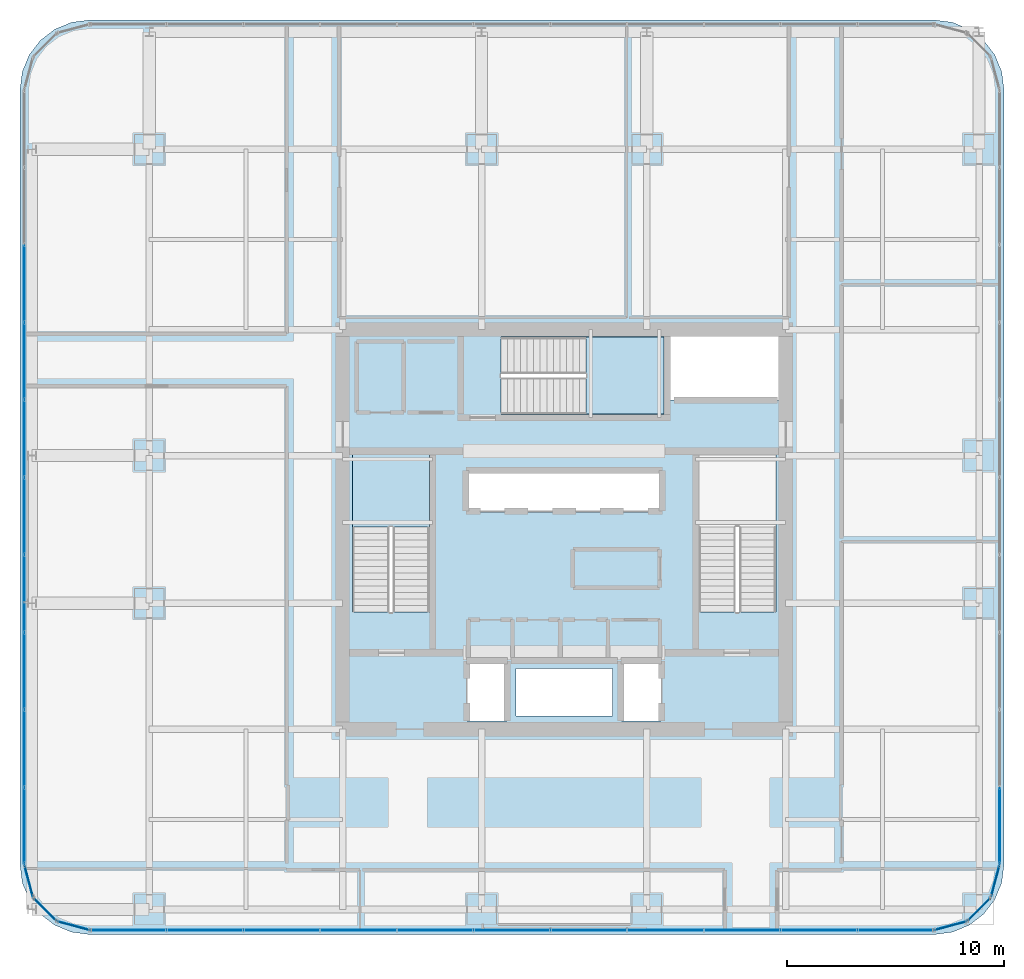
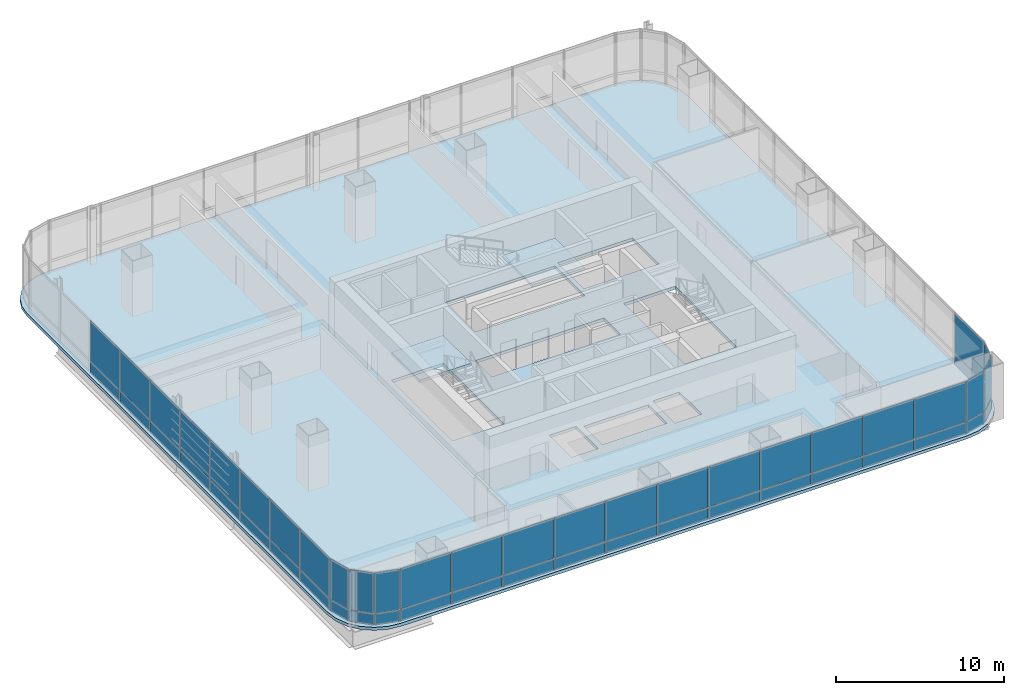
# One storey, part 28 of 38: 52 plates, 3 slabs, 11 elements without a shape of their own.
"""IFC4 building model written with IfcOpenShell, lengths in metres."""

import ifcopenshell
import ifcopenshell.guid

model = None  # the IFC model being written
_history = None  # IfcOwnerHistory: only IFC2X3 demands one
_inside = {}  # id of a spatial element -> (the spatial element, [elements in it])
_under = {}  # id of a project, library or spatial element -> (it, [spatial elements below it])
_declared = {}  # id of a project -> (the project, [libraries it declares])
_typed = {}  # id of a type object -> (the type object, [elements of that type])
_made_of = {}  # id of a material, layer set ... -> (it, [elements and type objects made of it])


def new_model(schema):
    """Start an empty IFC model of exactly this schema.

    Asked for "IFC4X3", IfcOpenShell would pick the latest addendum, in which some entities
    have other attributes; the version numbers below select the first issue.
    IFC2X3 requires an IfcOwnerHistory on every rooted entity: one is made here for all.
    """
    global model, _history
    if schema == "IFC4X3":
        model = ifcopenshell.file(schema_version=(4, 3, 0, 0))
    else:
        model = ifcopenshell.file(schema=schema)
    _inside.clear()
    _under.clear()
    _declared.clear()
    _typed.clear()
    _made_of.clear()
    _history = None
    if model.schema == "IFC2X3":
        org = make("IfcOrganization", Name="unknown")
        user = make(
            "IfcPersonAndOrganization",
            ThePerson=make("IfcPerson", FamilyName="unknown"),
            TheOrganization=org,
        )
        app = make(
            "IfcApplication",
            ApplicationDeveloper=org,
            Version="unknown",
            ApplicationFullName="unknown",
            ApplicationIdentifier="unknown",
        )
        _history = make(
            "IfcOwnerHistory",
            OwningUser=user,
            OwningApplication=app,
            ChangeAction="ADDED",
            CreationDate=0,
        )
    return model


def make(cls, **values):
    """One entity of the class cls with the attributes given. An attribute that is None is left unset."""
    return model.create_entity(
        cls, **{name: value for name, value in values.items() if value is not None}
    )


def rooted(cls, **values):
    """An entity with a GlobalId (a new one), such as an element, a storey or a relation."""
    return make(cls, GlobalId=ifcopenshell.guid.new(), OwnerHistory=_history, **values)


def si_unit(unit_type, name, prefix=None):
    """IfcSIUnit, for example si_unit("LENGTHUNIT", "METRE", prefix="MILLI")."""
    return make("IfcSIUnit", UnitType=unit_type, Prefix=prefix, Name=name)


def assignment(units):
    """IfcUnitAssignment: the units of a project."""
    return None if units is None else make("IfcUnitAssignment", Units=units)


def point(xyz):
    """IfcCartesianPoint."""
    return None if xyz is None else make("IfcCartesianPoint", Coordinates=xyz)


def direction(xyz):
    """IfcDirection."""
    return None if xyz is None else make("IfcDirection", DirectionRatios=xyz)


def frame(location, z_axis=None, x_axis=None):
    """IfcAxis2Placement3D, a coordinate frame: its origin and axes. An axis left out is left unset."""
    return make(
        "IfcAxis2Placement3D",
        Location=point(location),
        Axis=direction(z_axis),
        RefDirection=direction(x_axis),
    )


def frame_2d(location, x_axis=None):
    """IfcAxis2Placement2D, a coordinate frame in the plane: its origin and x axis."""
    return make(
        "IfcAxis2Placement2D", Location=point(location), RefDirection=direction(x_axis)
    )


def origin():
    """The frame at (0, 0, 0) with its axes left unset."""
    return frame((0.0, 0.0, 0.0))


def origin_2d():
    """The frame at (0, 0) in the plane with its x axis left unset."""
    return frame_2d((0.0, 0.0))


def place(relative_to, where):
    """IfcLocalPlacement: puts the frame where relative to a parent placement (None: the world)."""
    return make(
        "IfcLocalPlacement", PlacementRelTo=relative_to, RelativePlacement=where
    )


def context(
    kind, dimensions, precision=None, world=None, true_north=None, identifier=None
):
    """IfcGeometricRepresentationContext, for example the 3D "Model" context."""
    return make(
        "IfcGeometricRepresentationContext",
        ContextIdentifier=identifier,
        ContextType=kind,
        CoordinateSpaceDimension=dimensions,
        Precision=precision,
        WorldCoordinateSystem=world,
        TrueNorth=true_north,
    )


def subcontext(parent, identifier, kind, view, scale=None):
    """IfcGeometricRepresentationSubContext, for example "Body" below "Model"."""
    return make(
        "IfcGeometricRepresentationSubContext",
        ContextIdentifier=identifier,
        ContextType=kind,
        ParentContext=parent,
        TargetScale=scale,
        TargetView=view,
    )


def project(units=None, contexts=None):
    """IfcProject with its units and contexts."""
    return rooted(
        "IfcProject",
        Name="project",
        RepresentationContexts=contexts,
        UnitsInContext=assignment(units),
    )


def spatial(cls, under=None, at=None, **own):
    """A site, building, storey or space (cls), placed at a placement, below another one or the project."""
    s = rooted(cls, ObjectPlacement=at, **own)
    if under is not None:
        _under.setdefault(under.id(), (under, []))[1].append(s)
    return s


def polyline(points):
    """IfcPolyline through the points."""
    return make("IfcPolyline", Points=[point(p) for p in points])


def profile(cls, at=None, kind="AREA", **sizes):
    """A parametric profile (cls). Its sizes go by their IFC names, for example OverallWidth=200.0."""
    return make(cls, ProfileType=kind, Position=at, **sizes)


def rectangle(**sizes):
    """IfcRectangleProfileDef."""
    return profile("IfcRectangleProfileDef", **sizes)


def outline(outer, holes=None, kind="AREA"):
    """IfcArbitraryClosedProfileDef: a profile drawn as a closed curve; with holes, ...WithVoids."""
    if holes is None:
        return make("IfcArbitraryClosedProfileDef", ProfileType=kind, OuterCurve=outer)
    return make(
        "IfcArbitraryProfileDefWithVoids",
        ProfileType=kind,
        OuterCurve=outer,
        InnerCurves=holes,
    )


def extrude(swept, where, along, depth):
    """IfcExtrudedAreaSolid: the profile swept, set in the frame where, extruded along a direction by depth."""
    return make(
        "IfcExtrudedAreaSolid",
        SweptArea=swept,
        Position=where,
        ExtrudedDirection=direction(along),
        Depth=depth,
    )


def shape(context_of_items, identifier, shape_type, items):
    """IfcShapeRepresentation: the items that make up one representation, for example the "Body"."""
    return make(
        "IfcShapeRepresentation",
        ContextOfItems=context_of_items,
        RepresentationIdentifier=identifier,
        RepresentationType=shape_type,
        Items=items,
    )


def material(Name=None, Category=None):
    """IfcMaterial."""
    return make("IfcMaterial", Name=Name, Category=Category)


def layer(
    of_material, thickness, ventilated=None, Name=None, Category=None, Priority=None
):
    """IfcMaterialLayer: one layer of a wall or slab, of a material (None: an air gap)."""
    return make(
        "IfcMaterialLayer",
        Material=of_material,
        LayerThickness=thickness,
        IsVentilated=ventilated,
        Name=Name,
        Category=Category,
        Priority=Priority,
    )


def layer_set(layers, Name=None):
    """IfcMaterialLayerSet."""
    return make("IfcMaterialLayerSet", MaterialLayers=layers, LayerSetName=Name)


def made_of(thing, what):
    """Note that an element or type object is made of a material, layer set ...; save() writes the relation."""
    if what is not None:
        _made_of.setdefault(what.id(), (what, []))[1].append(thing)
    return thing


def type_object(cls, material=None, **own):
    """A type object (cls), such as IfcWallType, which elements share."""
    return made_of(rooted(cls, **own), material)


def element(
    cls,
    number,
    at=None,
    inside=None,
    cuts=None,
    type_object=None,
    material=None,
    context=None,
    identifier="Body",
    shape_type=None,
    held_by="IfcProductDefinitionShape",
    body=None,
    shapes=None,
    **own,
):
    """One element of the class cls, such as IfcWall. Its Tag is "e" and its number.

    at: its placement. inside: the storey or other place that contains it. cuts: it is an
    opening in that element (IfcRelVoidsElement). A single representation is given by context,
    identifier, shape_type and body (its items); several are given by shapes. held_by: the class
    of the entity that holds the representations. save() writes the other relations.
    """
    e = rooted(cls, Tag="e%d" % number, ObjectPlacement=at, **own)
    if body is not None:
        shapes = [shape(context, identifier, shape_type, body)]
    if shapes is not None:
        e.Representation = make(held_by, Representations=shapes)
    if inside is not None:
        _inside.setdefault(inside.id(), (inside, []))[1].append(e)
    if cuts is not None:
        rooted(
            "IfcRelVoidsElement", RelatingBuildingElement=cuts, RelatedOpeningElement=e
        )
    if type_object is not None:
        _typed.setdefault(type_object.id(), (type_object, []))[1].append(e)
    return made_of(e, material)


def aggregate(whole, parts):
    """IfcRelAggregates: a whole, such as a stair, and the parts it consists of."""
    return rooted("IfcRelAggregates", RelatingObject=whole, RelatedObjects=parts)


def save(model, path):
    """Write the relations noted so far, then the file.

    IfcRelAggregates (storeys below a building ...), IfcRelContainedInSpatialStructure (elements
    in a storey), IfcRelDefinesByType, IfcRelAssociatesMaterial and IfcRelDeclares: one each for
    every whole, place, type object, material and project.
    """
    for whole, parts in _under.values():
        aggregate(whole, parts)
    for where, things in _inside.values():
        rooted(
            "IfcRelContainedInSpatialStructure",
            RelatedElements=things,
            RelatingStructure=where,
        )
    for kind, things in _typed.values():
        rooted("IfcRelDefinesByType", RelatedObjects=things, RelatingType=kind)
    for what, things in _made_of.values():
        rooted("IfcRelAssociatesMaterial", RelatedObjects=things, RelatingMaterial=what)
    for by, libraries in _declared.values():
        rooted("IfcRelDeclares", RelatingContext=by, RelatedDefinitions=libraries)
    model.write(path)


model = new_model("IFC4")

# Units and contexts
model_context = context("Model", 3, precision=1e-05, world=origin(), true_north=direction((0.0, 1.0)))
body_context = subcontext(model_context, "Body", "Model", "MODEL_VIEW")
ifc_project = project(units=[si_unit("LENGTHUNIT", "METRE"), si_unit("AREAUNIT", "SQUARE_METRE"), si_unit("VOLUMEUNIT", "CUBIC_METRE"), si_unit("PLANEANGLEUNIT", "RADIAN"), si_unit("MASSUNIT", "GRAM", prefix="KILO")], contexts=[model_context])

# Site, building, storey
site_placement = place(None, origin())
site = spatial("IfcSite", under=ifc_project, at=site_placement, CompositionType="ELEMENT")
building_placement = place(site_placement, origin())
building = spatial("IfcBuilding", under=site, at=building_placement, Name="Punatoya Terracotta Tower", CompositionType="ELEMENT")
storey_placement = place(building_placement, frame((0.0, 0.0, 160.050048828125)))
storey = spatial("IfcBuildingStorey", under=building, at=storey_placement, Name="L37", CompositionType="ELEMENT", Elevation=160.050048828125)

# Curtain wall, plates
ifc_material_1 = material(Name="Aluminium 6063-T6 + Double Low-E Glass", Category="aluminium")
curtain_wall_type = type_object("IfcCurtainWallType", Name="CW-M2", PredefinedType="NOTDEFINED", material=ifc_material_1)
curtain_wall_1_placement = place(storey_placement, origin())
curtain_wall_1 = element("IfcCurtainWall", 1, at=curtain_wall_1_placement, inside=storey, type_object=curtain_wall_type, Name="L37 Curtain Wall CW-L37-S01-1", PredefinedType="NOTDEFINED")
ifc_material_2 = material(Name="Double Low-E Acoustic Vision Glass", Category="glass")
ifc_layer_1 = layer(ifc_material_2, 0.031982421875)
ifc_layer_set_1 = layer_set([ifc_layer_1], Name="Double Low-E Acoustic Vision Glass")
plate_type_1 = type_object("IfcPlateType", Name="PLT-GLZ-32", PredefinedType="CURTAIN_PANEL", material=ifc_layer_set_1)
plate_1_placement = place(storey_placement, frame((-20.06982421875, -18.449951171875, 0.889892578125), z_axis=(0.0, 0.0, 1.0), x_axis=(1.0, 0.0, 0.0)))
plate_1 = element("IfcPlate", 2, at=plate_1_placement, type_object=plate_type_1, Name="CW-L37-S01-1 Vision Glass Panel 1", PredefinedType="CURTAIN_PANEL", context=body_context, shape_type="SweptSolid", body=[
    extrude(rectangle(XDim=3.448974609375, YDim=0.031982421875, at=origin_2d()), origin(), (0.0, 0.0, 1.0), 2.89990234375),
])
plate_2_placement = place(storey_placement, frame((-16.535888671875, -18.449951171875, 0.889892578125), z_axis=(0.0, 0.0, 1.0), x_axis=(1.0, 0.0, 0.0)))
plate_2 = element("IfcPlate", 3, at=plate_2_placement, type_object=plate_type_1, Name="CW-L37-S01-1 Vision Glass Panel 2", PredefinedType="CURTAIN_PANEL", context=body_context, shape_type="SweptSolid", body=[
    extrude(rectangle(XDim=3.448974609375, YDim=0.031982421875, at=origin_2d()), origin(), (0.0, 0.0, 1.0), 2.89990234375),
])
plate_3_placement = place(storey_placement, frame((-13.001953125, -18.449951171875, 0.889892578125), z_axis=(0.0, 0.0, 1.0), x_axis=(1.0, 0.0, 0.0)))
plate_3 = element("IfcPlate", 4, at=plate_3_placement, type_object=plate_type_1, Name="CW-L37-S01-1 Vision Glass Panel 3", PredefinedType="CURTAIN_PANEL", context=body_context, shape_type="SweptSolid", body=[
    extrude(rectangle(XDim=3.448974609375, YDim=0.031982421875, at=origin_2d()), origin(), (0.0, 0.0, 1.0), 2.89990234375),
])
plate_4_placement = place(storey_placement, frame((-9.468017578125, -18.449951171875, 0.889892578125), z_axis=(0.0, 0.0, 1.0), x_axis=(1.0, 0.0, 0.0)))
plate_4 = element("IfcPlate", 5, at=plate_4_placement, type_object=plate_type_1, Name="CW-L37-S01-1 Vision Glass Panel 4", PredefinedType="CURTAIN_PANEL", context=body_context, shape_type="SweptSolid", body=[
    extrude(rectangle(XDim=3.448974609375, YDim=0.031982421875, at=origin_2d()), origin(), (0.0, 0.0, 1.0), 2.89990234375),
])
plate_5_placement = place(storey_placement, frame((-5.93408203125, -18.449951171875, 0.889892578125), z_axis=(0.0, 0.0, 1.0), x_axis=(1.0, 0.0, 0.0)))
plate_5 = element("IfcPlate", 6, at=plate_5_placement, type_object=plate_type_1, Name="CW-L37-S01-1 Vision Glass Panel 5", PredefinedType="CURTAIN_PANEL", context=body_context, shape_type="SweptSolid", body=[
    extrude(rectangle(XDim=3.448974609375, YDim=0.031982421875, at=origin_2d()), origin(), (0.0, 0.0, 1.0), 2.89990234375),
])
plate_6_placement = place(storey_placement, frame((-2.39990234375, -18.449951171875, 0.889892578125), z_axis=(0.0, 0.0, 1.0), x_axis=(1.0, 0.0, 0.0)))
plate_6 = element("IfcPlate", 7, at=plate_6_placement, type_object=plate_type_1, Name="CW-L37-S01-1 Vision Glass Panel 6", PredefinedType="CURTAIN_PANEL", context=body_context, shape_type="SweptSolid", body=[
    extrude(rectangle(XDim=3.448974609375, YDim=0.031982421875, at=origin_2d()), origin(), (0.0, 0.0, 1.0), 2.89990234375),
])
plate_7_placement = place(storey_placement, frame((1.134033203125, -18.449951171875, 0.889892578125), z_axis=(0.0, 0.0, 1.0), x_axis=(1.0, 0.0, 0.0)))
plate_7 = element("IfcPlate", 8, at=plate_7_placement, type_object=plate_type_1, Name="CW-L37-S01-1 Vision Glass Panel 7", PredefinedType="CURTAIN_PANEL", context=body_context, shape_type="SweptSolid", body=[
    extrude(rectangle(XDim=3.448974609375, YDim=0.031982421875, at=origin_2d()), origin(), (0.0, 0.0, 1.0), 2.89990234375),
])
plate_8_placement = place(storey_placement, frame((4.66796875, -18.449951171875, 0.889892578125), z_axis=(0.0, 0.0, 1.0), x_axis=(1.0, 0.0, 0.0)))
plate_8 = element("IfcPlate", 9, at=plate_8_placement, type_object=plate_type_1, Name="CW-L37-S01-1 Vision Glass Panel 8", PredefinedType="CURTAIN_PANEL", context=body_context, shape_type="SweptSolid", body=[
    extrude(rectangle(XDim=3.448974609375, YDim=0.031982421875, at=origin_2d()), origin(), (0.0, 0.0, 1.0), 2.89990234375),
])
plate_9_placement = place(storey_placement, frame((8.201904296875, -18.449951171875, 0.889892578125), z_axis=(0.0, 0.0, 1.0), x_axis=(1.0, 0.0, 0.0)))
plate_9 = element("IfcPlate", 10, at=plate_9_placement, type_object=plate_type_1, Name="CW-L37-S01-1 Vision Glass Panel 9", PredefinedType="CURTAIN_PANEL", context=body_context, shape_type="SweptSolid", body=[
    extrude(rectangle(XDim=3.448974609375, YDim=0.031982421875, at=origin_2d()), origin(), (0.0, 0.0, 1.0), 2.89990234375),
])
plate_10_placement = place(storey_placement, frame((11.73583984375, -18.449951171875, 0.889892578125), z_axis=(0.0, 0.0, 1.0), x_axis=(1.0, 0.0, 0.0)))
plate_10 = element("IfcPlate", 11, at=plate_10_placement, type_object=plate_type_1, Name="CW-L37-S01-1 Vision Glass Panel 10", PredefinedType="CURTAIN_PANEL", context=body_context, shape_type="SweptSolid", body=[
    extrude(rectangle(XDim=3.448974609375, YDim=0.031982421875, at=origin_2d()), origin(), (0.0, 0.0, 1.0), 2.89990234375),
])
plate_11_placement = place(storey_placement, frame((15.27001953125, -18.449951171875, 0.889892578125), z_axis=(0.0, 0.0, 1.0), x_axis=(1.0, 0.0, 0.0)))
plate_11 = element("IfcPlate", 12, at=plate_11_placement, type_object=plate_type_1, Name="CW-L37-S01-1 Vision Glass Panel 11", PredefinedType="CURTAIN_PANEL", context=body_context, shape_type="SweptSolid", body=[
    extrude(rectangle(XDim=3.448974609375, YDim=0.031982421875, at=origin_2d()), origin(), (0.0, 0.0, 1.0), 2.89990234375),
])

# Curtain wall, plate
curtain_wall_2_placement = place(storey_placement, origin())
curtain_wall_2 = element("IfcCurtainWall", 13, at=curtain_wall_2_placement, inside=storey, type_object=curtain_wall_type, Name="L37 Curtain Wall CW-L37-CRN02", PredefinedType="NOTDEFINED")
plate_12_placement = place(storey_placement, frame((17.79296875, -18.248291015625, 0.889892578125), z_axis=(0.0, 0.0, 1.0), x_axis=(0.966213877436, 0.257741620719, 0.0)))
plate_12 = element("IfcPlate", 14, at=plate_12_placement, type_object=plate_type_1, Name="CW-L37-CRN02 Vision Glass Panel 1", PredefinedType="CURTAIN_PANEL", context=body_context, shape_type="SweptSolid", body=[
    extrude(rectangle(XDim=1.47998046875, YDim=0.031982421875, at=origin_2d()), origin(), (0.0, 0.0, 1.0), 2.89990234375),
])

curtain_wall_3_placement = place(storey_placement, origin())
curtain_wall_3 = element("IfcCurtainWall", 15, at=curtain_wall_3_placement, inside=storey, type_object=curtain_wall_type, Name="L37 Curtain Wall CW-L37-CRN03", PredefinedType="NOTDEFINED")
plate_13_placement = place(storey_placement, frame((19.097900390625, -17.497802734375, 0.889892578125), z_axis=(0.0, 0.0, 1.0), x_axis=(0.707106781187, 0.707106781187, 0.0)))
plate_13 = element("IfcPlate", 16, at=plate_13_placement, type_object=plate_type_1, Name="CW-L37-CRN03 Vision Glass Panel 1", PredefinedType="CURTAIN_PANEL", context=body_context, shape_type="SweptSolid", body=[
    extrude(rectangle(XDim=1.467041015625, YDim=0.031982421875, at=origin_2d()), origin(), (0.0, 0.0, 1.0), 2.89990234375),
])

curtain_wall_4_placement = place(storey_placement, origin())
curtain_wall_4 = element("IfcCurtainWall", 17, at=curtain_wall_4_placement, inside=storey, type_object=curtain_wall_type, Name="L37 Curtain Wall CW-L37-CRN04", PredefinedType="NOTDEFINED")
plate_14_placement = place(storey_placement, frame((19.848388671875, -16.193115234375, 0.889892578125), z_axis=(0.0, 0.0, 1.0), x_axis=(0.257741620719, 0.966213877436, 0.0)))
plate_14 = element("IfcPlate", 18, at=plate_14_placement, type_object=plate_type_1, Name="CW-L37-CRN04 Vision Glass Panel 1", PredefinedType="CURTAIN_PANEL", context=body_context, shape_type="SweptSolid", body=[
    extrude(rectangle(XDim=1.47998046875, YDim=0.031982421875, at=origin_2d()), origin(), (0.0, 0.0, 1.0), 2.89990234375),
])

curtain_wall_5_placement = place(storey_placement, origin())
curtain_wall_5 = element("IfcCurtainWall", 19, at=curtain_wall_5_placement, inside=storey, type_object=curtain_wall_type, Name="L37 Curtain Wall CW-L37-E05-1", PredefinedType="NOTDEFINED")
plate_15_placement = place(storey_placement, frame((20.050048828125, -13.6533203125, 0.889892578125), z_axis=(0.0, 0.0, 1.0), x_axis=(0.0, 1.0, 0.0)))
plate_15 = element("IfcPlate", 20, at=plate_15_placement, type_object=plate_type_1, Name="CW-L37-E05-1 Vision Glass Panel 1", PredefinedType="CURTAIN_PANEL", context=body_context, shape_type="SweptSolid", body=[
    extrude(rectangle(XDim=3.482421875, YDim=0.031982421875, at=origin_2d()), origin(), (0.0, 0.0, 1.0), 2.89990234375),
])

# Curtain wall, plates
curtain_wall_6_placement = place(storey_placement, origin())
curtain_wall_6 = element("IfcCurtainWall", 21, at=curtain_wall_6_placement, inside=storey, type_object=curtain_wall_type, Name="L37 Curtain Wall CW-L37-W13-1", PredefinedType="NOTDEFINED")
plate_16_placement = place(storey_placement, frame((-24.85009765625, 11.318359375, 0.889892578125), z_axis=(0.0, 0.0, 1.0), x_axis=(0.0, -1.0, 0.0)))
plate_16 = element("IfcPlate", 22, at=plate_16_placement, type_object=plate_type_1, Name="CW-L37-W13-1 Vision Glass Panel 3", PredefinedType="CURTAIN_PANEL", context=body_context, shape_type="SweptSolid", body=[
    extrude(rectangle(XDim=3.482421875, YDim=0.031982421875, at=origin_2d()), origin(), (0.0, 0.0, 1.0), 2.89990234375),
])
plate_17_placement = place(storey_placement, frame((-24.85009765625, 7.751220703125, 0.889892578125), z_axis=(0.0, 0.0, 1.0), x_axis=(0.0, -1.0, 0.0)))
plate_17 = element("IfcPlate", 23, at=plate_17_placement, type_object=plate_type_1, Name="CW-L37-W13-1 Vision Glass Panel 4", PredefinedType="CURTAIN_PANEL", context=body_context, shape_type="SweptSolid", body=[
    extrude(rectangle(XDim=3.482421875, YDim=0.031982421875, at=origin_2d()), origin(), (0.0, 0.0, 1.0), 2.89990234375),
])
plate_18_placement = place(storey_placement, frame((-24.85009765625, 4.18359375, 0.889892578125), z_axis=(0.0, 0.0, 1.0), x_axis=(0.0, -1.0, 0.0)))
plate_18 = element("IfcPlate", 24, at=plate_18_placement, type_object=plate_type_1, Name="CW-L37-W13-1 Vision Glass Panel 5", PredefinedType="CURTAIN_PANEL", context=body_context, shape_type="SweptSolid", body=[
    extrude(rectangle(XDim=3.482421875, YDim=0.031982421875, at=origin_2d()), origin(), (0.0, 0.0, 1.0), 2.89990234375),
])
plate_19_placement = place(storey_placement, frame((-24.85009765625, 0.6162109375, 0.889892578125), z_axis=(0.0, 0.0, 1.0), x_axis=(0.0, -1.0, 0.0)))
plate_19 = element("IfcPlate", 25, at=plate_19_placement, type_object=plate_type_1, Name="CW-L37-W13-1 Vision Glass Panel 6", PredefinedType="CURTAIN_PANEL", context=body_context, shape_type="SweptSolid", body=[
    extrude(rectangle(XDim=3.482421875, YDim=0.031982421875, at=origin_2d()), origin(), (0.0, 0.0, 1.0), 2.89990234375),
])
plate_20_placement = place(storey_placement, frame((-24.85009765625, -2.951171875, 0.889892578125), z_axis=(0.0, 0.0, 1.0), x_axis=(0.0, -1.0, 0.0)))
plate_20 = element("IfcPlate", 26, at=plate_20_placement, type_object=plate_type_1, Name="CW-L37-W13-1 Vision Glass Panel 7", PredefinedType="CURTAIN_PANEL", context=body_context, shape_type="SweptSolid", body=[
    extrude(rectangle(XDim=3.482421875, YDim=0.031982421875, at=origin_2d()), origin(), (0.0, 0.0, 1.0), 2.89990234375),
])
plate_21_placement = place(storey_placement, frame((-24.85009765625, -6.518310546875, 0.889892578125), z_axis=(0.0, 0.0, 1.0), x_axis=(0.0, -1.0, 0.0)))
plate_21 = element("IfcPlate", 27, at=plate_21_placement, type_object=plate_type_1, Name="CW-L37-W13-1 Vision Glass Panel 8", PredefinedType="CURTAIN_PANEL", context=body_context, shape_type="SweptSolid", body=[
    extrude(rectangle(XDim=3.482421875, YDim=0.031982421875, at=origin_2d()), origin(), (0.0, 0.0, 1.0), 2.89990234375),
])
plate_22_placement = place(storey_placement, frame((-24.85009765625, -10.085693359375, 0.889892578125), z_axis=(0.0, 0.0, 1.0), x_axis=(0.0, -1.0, 0.0)))
plate_22 = element("IfcPlate", 28, at=plate_22_placement, type_object=plate_type_1, Name="CW-L37-W13-1 Vision Glass Panel 9", PredefinedType="CURTAIN_PANEL", context=body_context, shape_type="SweptSolid", body=[
    extrude(rectangle(XDim=3.482421875, YDim=0.031982421875, at=origin_2d()), origin(), (0.0, 0.0, 1.0), 2.89990234375),
])
plate_23_placement = place(storey_placement, frame((-24.85009765625, -13.6533203125, 0.889892578125), z_axis=(0.0, 0.0, 1.0), x_axis=(0.0, -1.0, 0.0)))
plate_23 = element("IfcPlate", 29, at=plate_23_placement, type_object=plate_type_1, Name="CW-L37-W13-1 Vision Glass Panel 10", PredefinedType="CURTAIN_PANEL", context=body_context, shape_type="SweptSolid", body=[
    extrude(rectangle(XDim=3.482421875, YDim=0.031982421875, at=origin_2d()), origin(), (0.0, 0.0, 1.0), 2.89990234375),
])

# Curtain wall, plate
curtain_wall_7_placement = place(storey_placement, origin())
curtain_wall_7 = element("IfcCurtainWall", 30, at=curtain_wall_7_placement, inside=storey, type_object=curtain_wall_type, Name="L37 Curtain Wall CW-L37-CRN14", PredefinedType="NOTDEFINED")
plate_24_placement = place(storey_placement, frame((-24.648193359375, -16.193115234375, 0.889892578125), z_axis=(0.0, 0.0, 1.0), x_axis=(0.257741620719, -0.966213877436, 0.0)))
plate_24 = element("IfcPlate", 31, at=plate_24_placement, type_object=plate_type_1, Name="CW-L37-CRN14 Vision Glass Panel 1", PredefinedType="CURTAIN_PANEL", context=body_context, shape_type="SweptSolid", body=[
    extrude(rectangle(XDim=1.47998046875, YDim=0.031982421875, at=origin_2d()), origin(), (0.0, 0.0, 1.0), 2.89990234375),
])

curtain_wall_8_placement = place(storey_placement, origin())
curtain_wall_8 = element("IfcCurtainWall", 32, at=curtain_wall_8_placement, inside=storey, type_object=curtain_wall_type, Name="L37 Curtain Wall CW-L37-CRN15", PredefinedType="NOTDEFINED")
plate_25_placement = place(storey_placement, frame((-23.89794921875, -17.497802734375, 0.889892578125), z_axis=(0.0, 0.0, 1.0), x_axis=(0.707106781187, -0.707106781187, 0.0)))
plate_25 = element("IfcPlate", 33, at=plate_25_placement, type_object=plate_type_1, Name="CW-L37-CRN15 Vision Glass Panel 1", PredefinedType="CURTAIN_PANEL", context=body_context, shape_type="SweptSolid", body=[
    extrude(rectangle(XDim=1.467041015625, YDim=0.031982421875, at=origin_2d()), origin(), (0.0, 0.0, 1.0), 2.89990234375),
])

curtain_wall_9_placement = place(storey_placement, origin())
curtain_wall_9 = element("IfcCurtainWall", 34, at=curtain_wall_9_placement, inside=storey, type_object=curtain_wall_type, Name="L37 Curtain Wall CW-L37-CRN16", PredefinedType="NOTDEFINED")
plate_26_placement = place(storey_placement, frame((-22.593017578125, -18.248291015625, 0.889892578125), z_axis=(0.0, 0.0, 1.0), x_axis=(0.966213877436, -0.257741620719, 0.0)))
plate_26 = element("IfcPlate", 35, at=plate_26_placement, type_object=plate_type_1, Name="CW-L37-CRN16 Vision Glass Panel 1", PredefinedType="CURTAIN_PANEL", context=body_context, shape_type="SweptSolid", body=[
    extrude(rectangle(XDim=1.47998046875, YDim=0.031982421875, at=origin_2d()), origin(), (0.0, 0.0, 1.0), 2.89990234375),
])

# Plate
ifc_material_3 = material(Name="Insulated Terracotta-Backed Spandrel Panel", Category="masonry")
ifc_layer_2 = layer(ifc_material_3, 0.044921875)
ifc_layer_set_2 = layer_set([ifc_layer_2], Name="Insulated Terracotta-Backed Spandrel Panel")
plate_type_2 = type_object("IfcPlateType", Name="PLT-SPN-45", PredefinedType="CURTAIN_PANEL", material=ifc_layer_set_2)
plate_27_placement = place(storey_placement, frame((-20.06982421875, -18.449951171875, 0.0400390625), z_axis=(0.0, 0.0, 1.0), x_axis=(1.0, 0.0, 0.0)))
plate_27 = element("IfcPlate", 36, at=plate_27_placement, type_object=plate_type_2, Name="CW-L37-S01-1 Terracotta Spandrel Panel 1", PredefinedType="CURTAIN_PANEL", context=body_context, shape_type="SweptSolid", body=[
    extrude(rectangle(XDim=3.448974609375, YDim=0.044921875, at=origin_2d()), origin(), (0.0, 0.0, 1.0), 0.77490234375),
])

plate_28_placement = place(storey_placement, frame((-16.535888671875, -18.449951171875, 0.0400390625), z_axis=(0.0, 0.0, 1.0), x_axis=(1.0, 0.0, 0.0)))
plate_28 = element("IfcPlate", 37, at=plate_28_placement, type_object=plate_type_2, Name="CW-L37-S01-1 Terracotta Spandrel Panel 2", PredefinedType="CURTAIN_PANEL", context=body_context, shape_type="SweptSolid", body=[
    extrude(rectangle(XDim=3.448974609375, YDim=0.044921875, at=origin_2d()), origin(), (0.0, 0.0, 1.0), 0.77490234375),
])

plate_29_placement = place(storey_placement, frame((-13.001953125, -18.449951171875, 0.0400390625), z_axis=(0.0, 0.0, 1.0), x_axis=(1.0, 0.0, 0.0)))
plate_29 = element("IfcPlate", 38, at=plate_29_placement, type_object=plate_type_2, Name="CW-L37-S01-1 Terracotta Spandrel Panel 3", PredefinedType="CURTAIN_PANEL", context=body_context, shape_type="SweptSolid", body=[
    extrude(rectangle(XDim=3.448974609375, YDim=0.044921875, at=origin_2d()), origin(), (0.0, 0.0, 1.0), 0.77490234375),
])

plate_30_placement = place(storey_placement, frame((-9.468017578125, -18.449951171875, 0.0400390625), z_axis=(0.0, 0.0, 1.0), x_axis=(1.0, 0.0, 0.0)))
plate_30 = element("IfcPlate", 39, at=plate_30_placement, type_object=plate_type_2, Name="CW-L37-S01-1 Terracotta Spandrel Panel 4", PredefinedType="CURTAIN_PANEL", context=body_context, shape_type="SweptSolid", body=[
    extrude(rectangle(XDim=3.448974609375, YDim=0.044921875, at=origin_2d()), origin(), (0.0, 0.0, 1.0), 0.77490234375),
])

plate_31_placement = place(storey_placement, frame((-5.93408203125, -18.449951171875, 0.0400390625), z_axis=(0.0, 0.0, 1.0), x_axis=(1.0, 0.0, 0.0)))
plate_31 = element("IfcPlate", 40, at=plate_31_placement, type_object=plate_type_2, Name="CW-L37-S01-1 Terracotta Spandrel Panel 5", PredefinedType="CURTAIN_PANEL", context=body_context, shape_type="SweptSolid", body=[
    extrude(rectangle(XDim=3.448974609375, YDim=0.044921875, at=origin_2d()), origin(), (0.0, 0.0, 1.0), 0.77490234375),
])

plate_32_placement = place(storey_placement, frame((-2.39990234375, -18.449951171875, 0.0400390625), z_axis=(0.0, 0.0, 1.0), x_axis=(1.0, 0.0, 0.0)))
plate_32 = element("IfcPlate", 41, at=plate_32_placement, type_object=plate_type_2, Name="CW-L37-S01-1 Terracotta Spandrel Panel 6", PredefinedType="CURTAIN_PANEL", context=body_context, shape_type="SweptSolid", body=[
    extrude(rectangle(XDim=3.448974609375, YDim=0.044921875, at=origin_2d()), origin(), (0.0, 0.0, 1.0), 0.77490234375),
])

plate_33_placement = place(storey_placement, frame((1.134033203125, -18.449951171875, 0.0400390625), z_axis=(0.0, 0.0, 1.0), x_axis=(1.0, 0.0, 0.0)))
plate_33 = element("IfcPlate", 42, at=plate_33_placement, type_object=plate_type_2, Name="CW-L37-S01-1 Terracotta Spandrel Panel 7", PredefinedType="CURTAIN_PANEL", context=body_context, shape_type="SweptSolid", body=[
    extrude(rectangle(XDim=3.448974609375, YDim=0.044921875, at=origin_2d()), origin(), (0.0, 0.0, 1.0), 0.77490234375),
])

plate_34_placement = place(storey_placement, frame((4.66796875, -18.449951171875, 0.0400390625), z_axis=(0.0, 0.0, 1.0), x_axis=(1.0, 0.0, 0.0)))
plate_34 = element("IfcPlate", 43, at=plate_34_placement, type_object=plate_type_2, Name="CW-L37-S01-1 Terracotta Spandrel Panel 8", PredefinedType="CURTAIN_PANEL", context=body_context, shape_type="SweptSolid", body=[
    extrude(rectangle(XDim=3.448974609375, YDim=0.044921875, at=origin_2d()), origin(), (0.0, 0.0, 1.0), 0.77490234375),
])

plate_35_placement = place(storey_placement, frame((8.201904296875, -18.449951171875, 0.0400390625), z_axis=(0.0, 0.0, 1.0), x_axis=(1.0, 0.0, 0.0)))
plate_35 = element("IfcPlate", 44, at=plate_35_placement, type_object=plate_type_2, Name="CW-L37-S01-1 Terracotta Spandrel Panel 9", PredefinedType="CURTAIN_PANEL", context=body_context, shape_type="SweptSolid", body=[
    extrude(rectangle(XDim=3.448974609375, YDim=0.044921875, at=origin_2d()), origin(), (0.0, 0.0, 1.0), 0.77490234375),
])

plate_36_placement = place(storey_placement, frame((11.73583984375, -18.449951171875, 0.0400390625), z_axis=(0.0, 0.0, 1.0), x_axis=(1.0, 0.0, 0.0)))
plate_36 = element("IfcPlate", 45, at=plate_36_placement, type_object=plate_type_2, Name="CW-L37-S01-1 Terracotta Spandrel Panel 10", PredefinedType="CURTAIN_PANEL", context=body_context, shape_type="SweptSolid", body=[
    extrude(rectangle(XDim=3.448974609375, YDim=0.044921875, at=origin_2d()), origin(), (0.0, 0.0, 1.0), 0.77490234375),
])

plate_37_placement = place(storey_placement, frame((15.27001953125, -18.449951171875, 0.0400390625), z_axis=(0.0, 0.0, 1.0), x_axis=(1.0, 0.0, 0.0)))
plate_37 = element("IfcPlate", 46, at=plate_37_placement, type_object=plate_type_2, Name="CW-L37-S01-1 Terracotta Spandrel Panel 11", PredefinedType="CURTAIN_PANEL", context=body_context, shape_type="SweptSolid", body=[
    extrude(rectangle(XDim=3.448974609375, YDim=0.044921875, at=origin_2d()), origin(), (0.0, 0.0, 1.0), 0.77490234375),
])

aggregate(curtain_wall_1, [plate_27, plate_1, plate_28, plate_2, plate_29, plate_3, plate_30, plate_4, plate_31, plate_5, plate_32, plate_6, plate_33, plate_7, plate_34, plate_8, plate_35, plate_9, plate_36, plate_10, plate_37, plate_11])

plate_38_placement = place(storey_placement, frame((17.79296875, -18.248291015625, 0.0400390625), z_axis=(0.0, 0.0, 1.0), x_axis=(0.966213877436, 0.257741620719, 0.0)))
plate_38 = element("IfcPlate", 47, at=plate_38_placement, type_object=plate_type_2, Name="CW-L37-CRN02 Terracotta Spandrel Panel 1", PredefinedType="CURTAIN_PANEL", context=body_context, shape_type="SweptSolid", body=[
    extrude(rectangle(XDim=1.47998046875, YDim=0.044921875, at=origin_2d()), origin(), (0.0, 0.0, 1.0), 0.77490234375),
])

aggregate(curtain_wall_2, [plate_38, plate_12])

plate_39_placement = place(storey_placement, frame((19.097900390625, -17.497802734375, 0.0400390625), z_axis=(0.0, 0.0, 1.0), x_axis=(0.707106781187, 0.707106781187, 0.0)))
plate_39 = element("IfcPlate", 48, at=plate_39_placement, type_object=plate_type_2, Name="CW-L37-CRN03 Terracotta Spandrel Panel 1", PredefinedType="CURTAIN_PANEL", context=body_context, shape_type="SweptSolid", body=[
    extrude(rectangle(XDim=1.467041015625, YDim=0.044921875, at=origin_2d()), origin(), (0.0, 0.0, 1.0), 0.77490234375),
])

aggregate(curtain_wall_3, [plate_39, plate_13])

plate_40_placement = place(storey_placement, frame((19.848388671875, -16.193115234375, 0.0400390625), z_axis=(0.0, 0.0, 1.0), x_axis=(0.257741620719, 0.966213877436, 0.0)))
plate_40 = element("IfcPlate", 49, at=plate_40_placement, type_object=plate_type_2, Name="CW-L37-CRN04 Terracotta Spandrel Panel 1", PredefinedType="CURTAIN_PANEL", context=body_context, shape_type="SweptSolid", body=[
    extrude(rectangle(XDim=1.47998046875, YDim=0.044921875, at=origin_2d()), origin(), (0.0, 0.0, 1.0), 0.77490234375),
])

aggregate(curtain_wall_4, [plate_40, plate_14])

plate_41_placement = place(storey_placement, frame((20.050048828125, -13.6533203125, 0.0400390625), z_axis=(0.0, 0.0, 1.0), x_axis=(0.0, 1.0, 0.0)))
plate_41 = element("IfcPlate", 50, at=plate_41_placement, type_object=plate_type_2, Name="CW-L37-E05-1 Terracotta Spandrel Panel 1", PredefinedType="CURTAIN_PANEL", context=body_context, shape_type="SweptSolid", body=[
    extrude(rectangle(XDim=3.482421875, YDim=0.044921875, at=origin_2d()), origin(), (0.0, 0.0, 1.0), 0.77490234375),
])

aggregate(curtain_wall_5, [plate_41, plate_15])

plate_42_placement = place(storey_placement, frame((-24.85009765625, 11.318359375, 0.0400390625), z_axis=(0.0, 0.0, 1.0), x_axis=(0.0, -1.0, 0.0)))
plate_42 = element("IfcPlate", 51, at=plate_42_placement, type_object=plate_type_2, Name="CW-L37-W13-1 Terracotta Spandrel Panel 3", PredefinedType="CURTAIN_PANEL", context=body_context, shape_type="SweptSolid", body=[
    extrude(rectangle(XDim=3.482421875, YDim=0.044921875, at=origin_2d()), origin(), (0.0, 0.0, 1.0), 0.77490234375),
])

plate_43_placement = place(storey_placement, frame((-24.85009765625, 7.751220703125, 0.0400390625), z_axis=(0.0, 0.0, 1.0), x_axis=(0.0, -1.0, 0.0)))
plate_43 = element("IfcPlate", 52, at=plate_43_placement, type_object=plate_type_2, Name="CW-L37-W13-1 Terracotta Spandrel Panel 4", PredefinedType="CURTAIN_PANEL", context=body_context, shape_type="SweptSolid", body=[
    extrude(rectangle(XDim=3.482421875, YDim=0.044921875, at=origin_2d()), origin(), (0.0, 0.0, 1.0), 0.77490234375),
])

plate_44_placement = place(storey_placement, frame((-24.85009765625, 4.18359375, 0.0400390625), z_axis=(0.0, 0.0, 1.0), x_axis=(0.0, -1.0, 0.0)))
plate_44 = element("IfcPlate", 53, at=plate_44_placement, type_object=plate_type_2, Name="CW-L37-W13-1 Terracotta Spandrel Panel 5", PredefinedType="CURTAIN_PANEL", context=body_context, shape_type="SweptSolid", body=[
    extrude(rectangle(XDim=3.482421875, YDim=0.044921875, at=origin_2d()), origin(), (0.0, 0.0, 1.0), 0.77490234375),
])

plate_45_placement = place(storey_placement, frame((-24.85009765625, 0.6162109375, 0.0400390625), z_axis=(0.0, 0.0, 1.0), x_axis=(0.0, -1.0, 0.0)))
plate_45 = element("IfcPlate", 54, at=plate_45_placement, type_object=plate_type_2, Name="CW-L37-W13-1 Terracotta Spandrel Panel 6", PredefinedType="CURTAIN_PANEL", context=body_context, shape_type="SweptSolid", body=[
    extrude(rectangle(XDim=3.482421875, YDim=0.044921875, at=origin_2d()), origin(), (0.0, 0.0, 1.0), 0.77490234375),
])

plate_46_placement = place(storey_placement, frame((-24.85009765625, -2.951171875, 0.0400390625), z_axis=(0.0, 0.0, 1.0), x_axis=(0.0, -1.0, 0.0)))
plate_46 = element("IfcPlate", 55, at=plate_46_placement, type_object=plate_type_2, Name="CW-L37-W13-1 Terracotta Spandrel Panel 7", PredefinedType="CURTAIN_PANEL", context=body_context, shape_type="SweptSolid", body=[
    extrude(rectangle(XDim=3.482421875, YDim=0.044921875, at=origin_2d()), origin(), (0.0, 0.0, 1.0), 0.77490234375),
])

plate_47_placement = place(storey_placement, frame((-24.85009765625, -6.518310546875, 0.0400390625), z_axis=(0.0, 0.0, 1.0), x_axis=(0.0, -1.0, 0.0)))
plate_47 = element("IfcPlate", 56, at=plate_47_placement, type_object=plate_type_2, Name="CW-L37-W13-1 Terracotta Spandrel Panel 8", PredefinedType="CURTAIN_PANEL", context=body_context, shape_type="SweptSolid", body=[
    extrude(rectangle(XDim=3.482421875, YDim=0.044921875, at=origin_2d()), origin(), (0.0, 0.0, 1.0), 0.77490234375),
])

plate_48_placement = place(storey_placement, frame((-24.85009765625, -10.085693359375, 0.0400390625), z_axis=(0.0, 0.0, 1.0), x_axis=(0.0, -1.0, 0.0)))
plate_48 = element("IfcPlate", 57, at=plate_48_placement, type_object=plate_type_2, Name="CW-L37-W13-1 Terracotta Spandrel Panel 9", PredefinedType="CURTAIN_PANEL", context=body_context, shape_type="SweptSolid", body=[
    extrude(rectangle(XDim=3.482421875, YDim=0.044921875, at=origin_2d()), origin(), (0.0, 0.0, 1.0), 0.77490234375),
])

plate_49_placement = place(storey_placement, frame((-24.85009765625, -13.6533203125, 0.0400390625), z_axis=(0.0, 0.0, 1.0), x_axis=(0.0, -1.0, 0.0)))
plate_49 = element("IfcPlate", 58, at=plate_49_placement, type_object=plate_type_2, Name="CW-L37-W13-1 Terracotta Spandrel Panel 10", PredefinedType="CURTAIN_PANEL", context=body_context, shape_type="SweptSolid", body=[
    extrude(rectangle(XDim=3.482421875, YDim=0.044921875, at=origin_2d()), origin(), (0.0, 0.0, 1.0), 0.77490234375),
])

aggregate(curtain_wall_6, [plate_42, plate_16, plate_43, plate_17, plate_44, plate_18, plate_45, plate_19, plate_46, plate_20, plate_47, plate_21, plate_48, plate_22, plate_49, plate_23])

plate_50_placement = place(storey_placement, frame((-24.648193359375, -16.193115234375, 0.0400390625), z_axis=(0.0, 0.0, 1.0), x_axis=(0.257741620719, -0.966213877436, 0.0)))
plate_50 = element("IfcPlate", 59, at=plate_50_placement, type_object=plate_type_2, Name="CW-L37-CRN14 Terracotta Spandrel Panel 1", PredefinedType="CURTAIN_PANEL", context=body_context, shape_type="SweptSolid", body=[
    extrude(rectangle(XDim=1.47998046875, YDim=0.044921875, at=origin_2d()), origin(), (0.0, 0.0, 1.0), 0.77490234375),
])

aggregate(curtain_wall_7, [plate_50, plate_24])

plate_51_placement = place(storey_placement, frame((-23.89794921875, -17.497802734375, 0.0400390625), z_axis=(0.0, 0.0, 1.0), x_axis=(0.707106781187, -0.707106781187, 0.0)))
plate_51 = element("IfcPlate", 60, at=plate_51_placement, type_object=plate_type_2, Name="CW-L37-CRN15 Terracotta Spandrel Panel 1", PredefinedType="CURTAIN_PANEL", context=body_context, shape_type="SweptSolid", body=[
    extrude(rectangle(XDim=1.467041015625, YDim=0.044921875, at=origin_2d()), origin(), (0.0, 0.0, 1.0), 0.77490234375),
])

aggregate(curtain_wall_8, [plate_51, plate_25])

plate_52_placement = place(storey_placement, frame((-22.593017578125, -18.248291015625, 0.0400390625), z_axis=(0.0, 0.0, 1.0), x_axis=(0.966213877436, -0.257741620719, 0.0)))
plate_52 = element("IfcPlate", 61, at=plate_52_placement, type_object=plate_type_2, Name="CW-L37-CRN16 Terracotta Spandrel Panel 1", PredefinedType="CURTAIN_PANEL", context=body_context, shape_type="SweptSolid", body=[
    extrude(rectangle(XDim=1.47998046875, YDim=0.044921875, at=origin_2d()), origin(), (0.0, 0.0, 1.0), 0.77490234375),
])

aggregate(curtain_wall_9, [plate_52, plate_26])

# Stair, slab
ifc_material_4 = material(Name="Concrete C40/50", Category="concrete")
stair_type_1 = type_object("IfcStairType", Name="STR-TER-1450", PredefinedType="HALF_TURN_STAIR", material=ifc_material_4)
stair_1_placement = place(storey_placement, origin())
stair_1 = element("IfcStair", 62, at=stair_1_placement, inside=storey, type_object=stair_type_1, Name="L37 Protected Core Exit Stair ST-3", PredefinedType="HALF_TURN_STAIR")
ifc_layer_3 = layer(ifc_material_4, 0.1650390625)
ifc_layer_set_3 = layer_set([ifc_layer_3], Name="Concrete C40/50")
slab_type_1 = type_object("IfcSlabType", Name="SLB-LND-165", PredefinedType="LANDING", material=ifc_layer_set_3)
slab_1_placement = place(storey_placement, frame((0.0, 0.0, 1.824951171875)))
slab_1 = element("IfcSlab", 63, at=slab_1_placement, type_object=slab_type_1, Name="ST-3 landing 1", PredefinedType="LANDING", context=body_context, shape_type="SweptSolid", body=[
    extrude(outline(polyline([(1.0, 5.300048828125), (4.60009765625, 5.300048828125), (4.60009765625, 8.85009765625), (1.0, 8.85009765625), (1.0, 5.300048828125)])), origin(), (0.0, 0.0, 1.0), 0.199951171875),
])
aggregate(stair_1, [slab_1])

stair_type_2 = type_object("IfcStairType", Name="STR-CORE-1550", PredefinedType="HALF_TURN_STAIR", material=ifc_material_4)
stair_2_placement = place(storey_placement, origin())
stair_2 = element("IfcStair", 64, at=stair_2_placement, inside=storey, type_object=stair_type_2, Name="L37 Protected Core Exit Stair ST-1", PredefinedType="HALF_TURN_STAIR")
ifc_layer_4 = layer(ifc_material_4, 0.179931640625)
ifc_layer_set_4 = layer_set([ifc_layer_4], Name="Concrete C40/50")
slab_type_2 = type_object("IfcSlabType", Name="SLB-LND-180", PredefinedType="LANDING", material=ifc_layer_set_4)
slab_2_placement = place(storey_placement, frame((0.0, 0.0, 1.824951171875)))
slab_2 = element("IfcSlab", 65, at=slab_2_placement, type_object=slab_type_2, Name="ST-1 landing 1", PredefinedType="LANDING", context=body_context, shape_type="SweptSolid", body=[
    extrude(outline(polyline([(-6.199951171875, 0.10009765625), (-6.199951171875, 3.449951171875), (-9.75, 3.449951171875), (-9.75, 0.10009765625), (-6.199951171875, 0.10009765625)])), origin(), (0.0, 0.0, 1.0), 0.199951171875),
])
aggregate(stair_2, [slab_2])

# Slab
ifc_layer_5 = layer(ifc_material_4, 0.219970703125)
ifc_layer_set_5 = layer_set([ifc_layer_5], Name="Concrete C40/50")
slab_type_3 = type_object("IfcSlabType", Name="SLB-OFF-220", PredefinedType="FLOOR", material=ifc_layer_set_5)
slab_3_placement = place(storey_placement, frame((0.0, 0.0, -0.219970703125)))
element("IfcSlab", 66, at=slab_3_placement, inside=storey, type_object=slab_type_3, Name="L37 Structural Floor Slab", PredefinedType="FLOOR", context=body_context, shape_type="SweptSolid", body=[
    extrude(outline(polyline([(-21.85009765625, -18.64990234375), (-22.67822265625, -18.541015625), (-23.449951171875, -18.22119140625), (-24.11279296875, -17.712646484375), (-24.621337890625, -17.050048828125), (-24.94091796875, -16.2783203125), (-25.050048828125, -15.449951171875), (-25.050048828125, 20.25), (-24.94091796875, 21.078125), (-24.621337890625, 21.85009765625), (-24.11279296875, 22.5126953125), (-23.449951171875, 23.021240234375), (-22.67822265625, 23.341064453125), (-21.85009765625, 23.449951171875), (17.050048828125, 23.449951171875), (17.878173828125, 23.341064453125), (18.64990234375, 23.021240234375), (19.312744140625, 22.5126953125), (19.8212890625, 21.85009765625), (20.14111328125, 21.078125), (20.25, 20.25), (20.25, -15.449951171875), (20.14111328125, -16.2783203125), (19.8212890625, -17.050048828125), (19.312744140625, -17.712646484375), (18.64990234375, -18.22119140625), (17.878173828125, -18.541015625), (17.050048828125, -18.64990234375), (-21.85009765625, -18.64990234375)]), holes=[polyline([(-2.6298828125, -6.179931640625), (-4.469970703125, -6.179931640625), (-4.469970703125, -8.820068359375), (-2.6298828125, -8.820068359375), (-2.6298828125, -6.179931640625)]), polyline([(0.02001953125, -8.594970703125), (2.219970703125, -8.594970703125), (2.219970703125, -6.405029296875), (0.02001953125, -6.405029296875), (-0.02001953125, -6.405029296875), (-2.219970703125, -6.405029296875), (-2.219970703125, -8.594970703125), (-0.02001953125, -8.594970703125), (0.02001953125, -8.594970703125)]), polyline([(-6.199951171875, 3.449951171875), (-9.75, 3.449951171875), (-9.75, -3.79931640625), (-6.199951171875, -3.79931640625), (-6.199951171875, 3.449951171875)]), polyline([(-4.419921875, 2.719970703125), (-4.419921875, 0.780029296875), (-2.219970703125, 0.780029296875), (-2.179931640625, 0.780029296875), (-0.02001953125, 0.780029296875), (0.02001953125, 0.780029296875), (2.179931640625, 0.780029296875), (2.219970703125, 0.780029296875), (4.419921875, 0.780029296875), (4.419921875, 2.719970703125), (2.219970703125, 2.719970703125), (2.179931640625, 2.719970703125), (0.02001953125, 2.719970703125), (-0.02001953125, 2.719970703125), (-2.179931640625, 2.719970703125), (-2.219970703125, 2.719970703125), (-4.419921875, 2.719970703125)]), polyline([(4.60009765625, 5.300048828125), (4.60009765625, 8.85009765625), (-2.899169921875, 8.85009765625), (-2.899169921875, 5.300048828125), (4.60009765625, 5.300048828125)]), polyline([(4.469970703125, -8.820068359375), (4.469970703125, -6.179931640625), (2.6298828125, -6.179931640625), (2.6298828125, -8.820068359375), (4.469970703125, -8.820068359375)]), polyline([(9.75, 3.449951171875), (6.199951171875, 3.449951171875), (6.199951171875, -3.79931640625), (9.75, -3.79931640625), (9.75, 3.449951171875)]), polyline([(10.050048828125, 5.949951171875), (10.050048828125, 9.050048828125), (4.89990234375, 9.050048828125), (4.89990234375, 5.949951171875), (10.050048828125, 5.949951171875)])]), origin(), (0.0, 0.0, 1.0), 0.219970703125),
])

save(model, "model.ifc")
